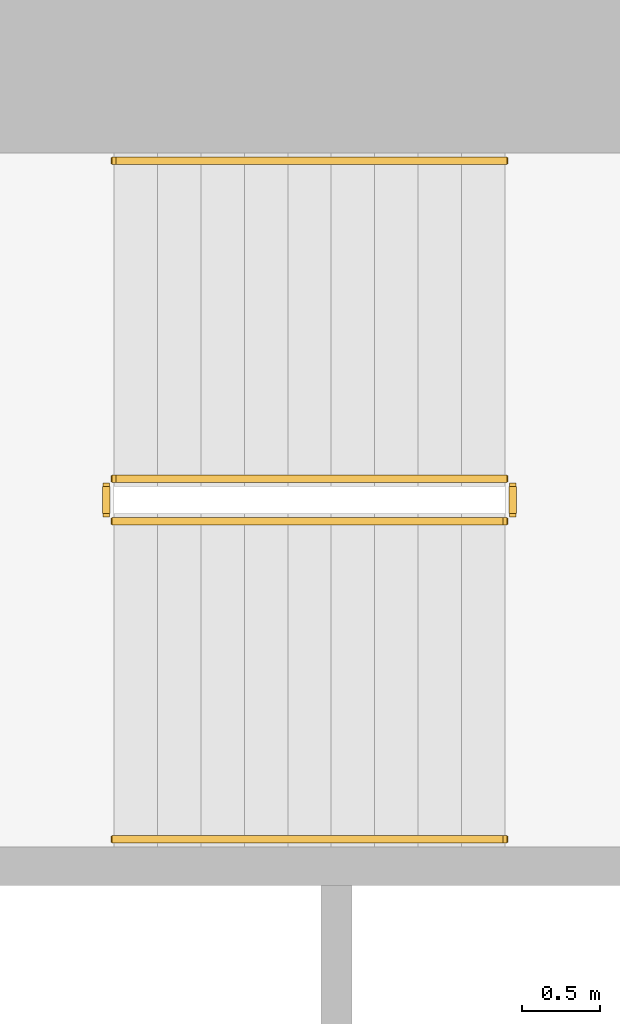
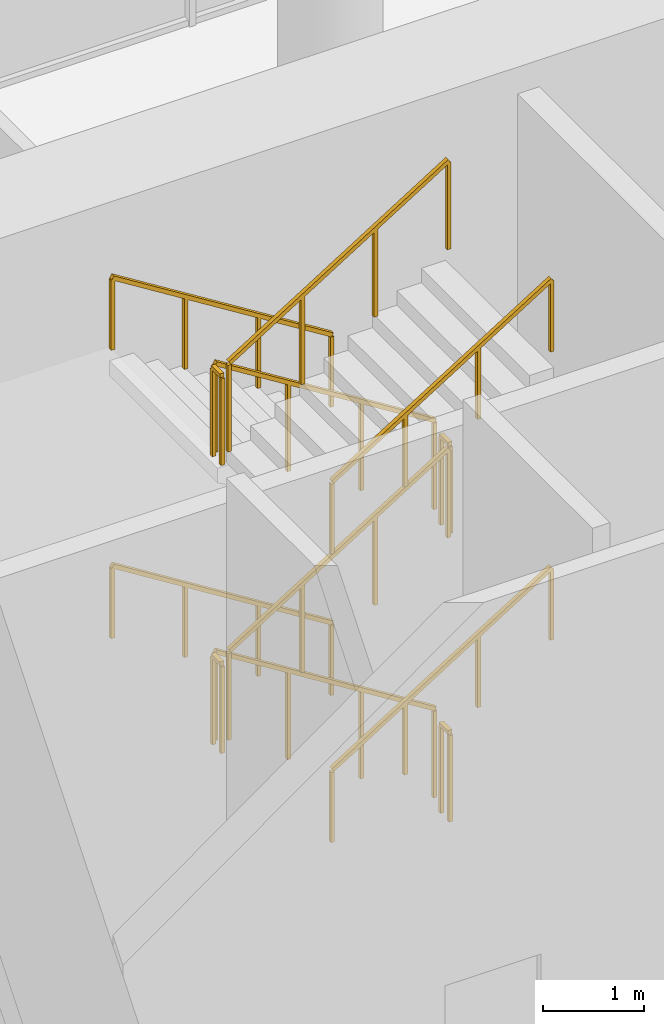
# One storey, part 20 of 22: 12 railings.
"""IFC4 building model written with IfcOpenShell, lengths in metres."""

from ifc_helpers import new_model, si_unit, direction, frame, origin, origin_2d, place, context, subcontext, project, spatial, rectangle, extrude, material, type_object, element, save


model = new_model("IFC4")

# Units and contexts
model_context = context("Model", 3, precision=1e-05, world=origin(), true_north=direction((0.0, 1.0)))
body_context = subcontext(model_context, "Body", "Model", "MODEL_VIEW")
ifc_project = project(units=[si_unit("LENGTHUNIT", "METRE"), si_unit("AREAUNIT", "SQUARE_METRE"), si_unit("VOLUMEUNIT", "CUBIC_METRE"), si_unit("PLANEANGLEUNIT", "RADIAN"), si_unit("MASSUNIT", "GRAM", prefix="KILO")], contexts=[model_context])

# Site, building, storey
site_placement = place(None, origin())
site = spatial("IfcSite", under=ifc_project, at=site_placement, CompositionType="ELEMENT")
building_placement = place(site_placement, origin())
building = spatial("IfcBuilding", under=site, at=building_placement, Name="Cypress Arch Tower", CompositionType="ELEMENT")
storey_placement = place(building_placement, frame((0.0, 0.0, 145.5)))
storey = spatial("IfcBuildingStorey", under=building, at=storey_placement, Name="L32", CompositionType="ELEMENT", Elevation=145.5)

# Railings
ifc_material_1 = material(Name="Black powder-coated steel square bar 48 mm", Category="steel")
railing_type_1 = type_object("IfcRailingType", Name="Stair handrail HR1", PredefinedType="HANDRAIL", material=ifc_material_1)
railing_1_placement = place(storey_placement, frame((-22.27490234375, 14.75, 0.175048828125)))
element("IfcRailing", 1, at=railing_1_placement, inside=storey, type_object=railing_type_1, Name="L32 B stair handrail 1", PredefinedType="HANDRAIL", context=body_context, shape_type="SweptSolid", body=[
    extrude(rectangle(XDim=0.048095703125, YDim=0.048095703125, at=origin_2d()), frame((0.0, 0.0, 0.8759765625), z_axis=(-0.848007534815, 0.0, 0.529984170421), x_axis=(0.0, -1.0, 0.0)), (0.0, 0.0, 1.0), 2.9716796875),
    extrude(rectangle(XDim=0.0419921875, YDim=0.0419921875, at=origin_2d()), origin(), (0.0, 0.0, 1.0), 0.851806640625),
    extrude(rectangle(XDim=0.0419921875, YDim=0.0419921875, at=origin_2d()), frame((-0.840087890625, 0.0, 0.52490234375)), (0.0, 0.0, 1.0), 0.851806640625),
    extrude(rectangle(XDim=0.0419921875, YDim=0.0419921875, at=origin_2d()), frame((-1.679931640625, 0.0, 1.050048828125)), (0.0, 0.0, 1.0), 0.851806640625),
    extrude(rectangle(XDim=0.0419921875, YDim=0.0419921875, at=origin_2d()), frame((-2.52001953125, 0.0, 1.574951171875)), (0.0, 0.0, 1.0), 0.851806640625),
])
railing_2_placement = place(storey_placement, frame((-24.794921875, 10.375, 1.925048828125)))
element("IfcRailing", 2, at=railing_2_placement, inside=storey, type_object=railing_type_1, Name="L32 B stair handrail 2", PredefinedType="HANDRAIL", context=body_context, shape_type="SweptSolid", body=[
    extrude(rectangle(XDim=0.048095703125, YDim=0.048095703125, at=origin_2d()), frame((0.0, 0.0, 0.8759765625), z_axis=(0.848007534815, 0.0, 0.529984170421), x_axis=(0.0, 1.0, 0.0)), (0.0, 0.0, 1.0), 2.9716796875),
    extrude(rectangle(XDim=0.0419921875, YDim=0.0419921875, at=origin_2d()), origin(), (0.0, 0.0, 1.0), 0.851806640625),
    extrude(rectangle(XDim=0.0419921875, YDim=0.0419921875, at=origin_2d()), frame((0.840087890625, 0.0, 0.52490234375)), (0.0, 0.0, 1.0), 0.851806640625),
    extrude(rectangle(XDim=0.0419921875, YDim=0.0419921875, at=origin_2d()), frame((1.679931640625, 0.0, 1.050048828125)), (0.0, 0.0, 1.0), 0.851806640625),
    extrude(rectangle(XDim=0.0419921875, YDim=0.0419921875, at=origin_2d()), frame((2.52001953125, 0.0, 1.574951171875)), (0.0, 0.0, 1.0), 0.851806640625),
])
railing_3_placement = place(storey_placement, frame((-22.27490234375, 14.75, 3.675048828125)))
element("IfcRailing", 3, at=railing_3_placement, inside=storey, type_object=railing_type_1, Name="L32 B stair handrail 3", PredefinedType="HANDRAIL", context=body_context, shape_type="SweptSolid", body=[
    extrude(rectangle(XDim=0.048095703125, YDim=0.048095703125, at=origin_2d()), frame((0.0, 0.0, 0.8759765625), z_axis=(-0.848007534815, 0.0, 0.529984170421), x_axis=(0.0, -1.0, 0.0)), (0.0, 0.0, 1.0), 2.9716796875),
    extrude(rectangle(XDim=0.0419921875, YDim=0.0419921875, at=origin_2d()), origin(), (0.0, 0.0, 1.0), 0.851806640625),
    extrude(rectangle(XDim=0.0419921875, YDim=0.0419921875, at=origin_2d()), frame((-0.840087890625, 0.0, 0.52490234375)), (0.0, 0.0, 1.0), 0.851806640625),
    extrude(rectangle(XDim=0.0419921875, YDim=0.0419921875, at=origin_2d()), frame((-1.679931640625, 0.0, 1.050048828125)), (0.0, 0.0, 1.0), 0.851806640625),
    extrude(rectangle(XDim=0.0419921875, YDim=0.0419921875, at=origin_2d()), frame((-2.52001953125, 0.0, 1.574951171875)), (0.0, 0.0, 1.0), 0.851806640625),
])
railing_4_placement = place(storey_placement, frame((-24.794921875, 10.375, 5.425048828125)))
element("IfcRailing", 4, at=railing_4_placement, inside=storey, type_object=railing_type_1, Name="L32 B stair handrail 4", PredefinedType="HANDRAIL", context=body_context, shape_type="SweptSolid", body=[
    extrude(rectangle(XDim=0.048095703125, YDim=0.048095703125, at=origin_2d()), frame((0.0, 0.0, 0.8759765625), z_axis=(0.848007534815, 0.0, 0.529984170421), x_axis=(0.0, 1.0, 0.0)), (0.0, 0.0, 1.0), 2.9716796875),
    extrude(rectangle(XDim=0.0419921875, YDim=0.0419921875, at=origin_2d()), origin(), (0.0, 0.0, 1.0), 0.851806640625),
    extrude(rectangle(XDim=0.0419921875, YDim=0.0419921875, at=origin_2d()), frame((0.840087890625, 0.0, 0.52490234375)), (0.0, 0.0, 1.0), 0.851806640625),
    extrude(rectangle(XDim=0.0419921875, YDim=0.0419921875, at=origin_2d()), frame((1.679931640625, 0.0, 1.050048828125)), (0.0, 0.0, 1.0), 0.851806640625),
    extrude(rectangle(XDim=0.0419921875, YDim=0.0419921875, at=origin_2d()), frame((2.52001953125, 0.0, 1.574951171875)), (0.0, 0.0, 1.0), 0.851806640625),
])
ifc_material_2 = material(Name="Black powder-coated steel balusters", Category="steel")
railing_type_2 = type_object("IfcRailingType", Name="Stair well guard G1", PredefinedType="GUARDRAIL", material=ifc_material_2)
railing_5_placement = place(storey_placement, frame((-22.27490234375, 12.699951171875, 0.175048828125)))
element("IfcRailing", 5, at=railing_5_placement, inside=storey, type_object=railing_type_2, Name="L32 B stair guard 1", PredefinedType="GUARDRAIL", context=body_context, shape_type="SweptSolid", body=[
    extrude(rectangle(XDim=0.048095703125, YDim=0.048095703125, at=origin_2d()), frame((0.0, 0.0, 1.076171875), z_axis=(-0.848007534815, 0.0, 0.529984170421), x_axis=(0.0, -1.0, 0.0)), (0.0, 0.0, 1.0), 2.9716796875),
    extrude(rectangle(XDim=0.0419921875, YDim=0.0419921875, at=origin_2d()), origin(), (0.0, 0.0, 1.0), 1.052001953125),
    extrude(rectangle(XDim=0.0419921875, YDim=0.0419921875, at=origin_2d()), frame((-0.840087890625, 0.0, 0.52490234375)), (0.0, 0.0, 1.0), 1.052001953125),
    extrude(rectangle(XDim=0.0419921875, YDim=0.0419921875, at=origin_2d()), frame((-1.679931640625, 0.0, 1.050048828125)), (0.0, 0.0, 1.0), 1.052001953125),
    extrude(rectangle(XDim=0.0419921875, YDim=0.0419921875, at=origin_2d()), frame((-2.52001953125, 0.0, 1.574951171875)), (0.0, 0.0, 1.0), 1.052001953125),
])
railing_6_placement = place(storey_placement, frame((-24.844970703125, 12.64990234375, 1.75)))
element("IfcRailing", 6, at=railing_6_placement, inside=storey, type_object=railing_type_2, Name="L32 B stair guard 2", PredefinedType="GUARDRAIL", context=body_context, shape_type="SweptSolid", body=[
    extrude(rectangle(XDim=0.048095703125, YDim=0.048095703125, at=origin_2d()), frame((0.0, 0.0, 1.076171875), z_axis=(0.0, -1.0, 0.0), x_axis=(1.0, 0.0, 0.0)), (0.0, 0.0, 1.0), 0.1748046875),
    extrude(rectangle(XDim=0.0419921875, YDim=0.0419921875, at=origin_2d()), origin(), (0.0, 0.0, 1.0), 1.052001953125),
    extrude(rectangle(XDim=0.0419921875, YDim=0.0419921875, at=origin_2d()), frame((0.0, -0.1748046875, 0.0)), (0.0, 0.0, 1.0), 1.052001953125),
])
railing_7_placement = place(storey_placement, frame((-24.794921875, 12.425048828125, 1.925048828125)))
element("IfcRailing", 7, at=railing_7_placement, inside=storey, type_object=railing_type_2, Name="L32 B stair guard 3", PredefinedType="GUARDRAIL", context=body_context, shape_type="SweptSolid", body=[
    extrude(rectangle(XDim=0.048095703125, YDim=0.048095703125, at=origin_2d()), frame((0.0, 0.0, 1.076171875), z_axis=(0.848007534815, 0.0, 0.529984170421), x_axis=(0.0, 1.0, 0.0)), (0.0, 0.0, 1.0), 2.9716796875),
    extrude(rectangle(XDim=0.0419921875, YDim=0.0419921875, at=origin_2d()), origin(), (0.0, 0.0, 1.0), 1.052001953125),
    extrude(rectangle(XDim=0.0419921875, YDim=0.0419921875, at=origin_2d()), frame((0.840087890625, 0.0, 0.52490234375)), (0.0, 0.0, 1.0), 1.052001953125),
    extrude(rectangle(XDim=0.0419921875, YDim=0.0419921875, at=origin_2d()), frame((1.679931640625, 0.0, 1.050048828125)), (0.0, 0.0, 1.0), 1.052001953125),
    extrude(rectangle(XDim=0.0419921875, YDim=0.0419921875, at=origin_2d()), frame((2.52001953125, 0.0, 1.574951171875)), (0.0, 0.0, 1.0), 1.052001953125),
])
railing_8_placement = place(storey_placement, frame((-22.22509765625, 12.64990234375, 3.5)))
element("IfcRailing", 8, at=railing_8_placement, inside=storey, type_object=railing_type_2, Name="L32 B stair guard 4", PredefinedType="GUARDRAIL", context=body_context, shape_type="SweptSolid", body=[
    extrude(rectangle(XDim=0.048095703125, YDim=0.048095703125, at=origin_2d()), frame((0.0, 0.0, 1.076171875), z_axis=(0.0, -1.0, 0.0), x_axis=(1.0, 0.0, 0.0)), (0.0, 0.0, 1.0), 0.1748046875),
    extrude(rectangle(XDim=0.0419921875, YDim=0.0419921875, at=origin_2d()), origin(), (0.0, 0.0, 1.0), 1.052001953125),
    extrude(rectangle(XDim=0.0419921875, YDim=0.0419921875, at=origin_2d()), frame((0.0, -0.1748046875, 0.0)), (0.0, 0.0, 1.0), 1.052001953125),
])
railing_9_placement = place(storey_placement, frame((-22.27490234375, 12.699951171875, 3.675048828125)))
element("IfcRailing", 9, at=railing_9_placement, inside=storey, type_object=railing_type_2, Name="L32 B stair guard 5", PredefinedType="GUARDRAIL", context=body_context, shape_type="SweptSolid", body=[
    extrude(rectangle(XDim=0.048095703125, YDim=0.048095703125, at=origin_2d()), frame((0.0, 0.0, 1.076171875), z_axis=(-0.848007534815, 0.0, 0.529984170421), x_axis=(0.0, -1.0, 0.0)), (0.0, 0.0, 1.0), 2.9716796875),
    extrude(rectangle(XDim=0.0419921875, YDim=0.0419921875, at=origin_2d()), origin(), (0.0, 0.0, 1.0), 1.052001953125),
    extrude(rectangle(XDim=0.0419921875, YDim=0.0419921875, at=origin_2d()), frame((-0.840087890625, 0.0, 0.52490234375)), (0.0, 0.0, 1.0), 1.052001953125),
    extrude(rectangle(XDim=0.0419921875, YDim=0.0419921875, at=origin_2d()), frame((-1.679931640625, 0.0, 1.050048828125)), (0.0, 0.0, 1.0), 1.052001953125),
    extrude(rectangle(XDim=0.0419921875, YDim=0.0419921875, at=origin_2d()), frame((-2.52001953125, 0.0, 1.574951171875)), (0.0, 0.0, 1.0), 1.052001953125),
])
railing_10_placement = place(storey_placement, frame((-24.844970703125, 12.64990234375, 5.25)))
element("IfcRailing", 10, at=railing_10_placement, inside=storey, type_object=railing_type_2, Name="L32 B stair guard 6", PredefinedType="GUARDRAIL", context=body_context, shape_type="SweptSolid", body=[
    extrude(rectangle(XDim=0.048095703125, YDim=0.048095703125, at=origin_2d()), frame((0.0, 0.0, 1.076171875), z_axis=(0.0, -1.0, 0.0), x_axis=(1.0, 0.0, 0.0)), (0.0, 0.0, 1.0), 0.1748046875),
    extrude(rectangle(XDim=0.0419921875, YDim=0.0419921875, at=origin_2d()), origin(), (0.0, 0.0, 1.0), 1.052001953125),
    extrude(rectangle(XDim=0.0419921875, YDim=0.0419921875, at=origin_2d()), frame((0.0, -0.1748046875, 0.0)), (0.0, 0.0, 1.0), 1.052001953125),
])
railing_11_placement = place(storey_placement, frame((-24.794921875, 12.425048828125, 5.425048828125)))
element("IfcRailing", 11, at=railing_11_placement, inside=storey, type_object=railing_type_2, Name="L32 B stair guard 7", PredefinedType="GUARDRAIL", context=body_context, shape_type="SweptSolid", body=[
    extrude(rectangle(XDim=0.048095703125, YDim=0.048095703125, at=origin_2d()), frame((0.0, 0.0, 1.076171875), z_axis=(0.848007534815, 0.0, 0.529984170421), x_axis=(0.0, 1.0, 0.0)), (0.0, 0.0, 1.0), 2.9716796875),
    extrude(rectangle(XDim=0.0419921875, YDim=0.0419921875, at=origin_2d()), origin(), (0.0, 0.0, 1.0), 1.052001953125),
    extrude(rectangle(XDim=0.0419921875, YDim=0.0419921875, at=origin_2d()), frame((0.840087890625, 0.0, 0.52490234375)), (0.0, 0.0, 1.0), 1.052001953125),
    extrude(rectangle(XDim=0.0419921875, YDim=0.0419921875, at=origin_2d()), frame((1.679931640625, 0.0, 1.050048828125)), (0.0, 0.0, 1.0), 1.052001953125),
    extrude(rectangle(XDim=0.0419921875, YDim=0.0419921875, at=origin_2d()), frame((2.52001953125, 0.0, 1.574951171875)), (0.0, 0.0, 1.0), 1.052001953125),
])
railing_12_placement = place(storey_placement, frame((-22.22509765625, 12.64990234375, 0.0)))
element("IfcRailing", 12, at=railing_12_placement, inside=storey, type_object=railing_type_2, Name="L32 B stair guard 8", PredefinedType="GUARDRAIL", context=body_context, shape_type="SweptSolid", body=[
    extrude(rectangle(XDim=0.048095703125, YDim=0.048095703125, at=origin_2d()), frame((0.0, 0.0, 1.076171875), z_axis=(0.0, -1.0, 0.0), x_axis=(1.0, 0.0, 0.0)), (0.0, 0.0, 1.0), 0.1748046875),
    extrude(rectangle(XDim=0.0419921875, YDim=0.0419921875, at=origin_2d()), origin(), (0.0, 0.0, 1.0), 1.052001953125),
    extrude(rectangle(XDim=0.0419921875, YDim=0.0419921875, at=origin_2d()), frame((0.0, -0.1748046875, 0.0)), (0.0, 0.0, 1.0), 1.052001953125),
])

save(model, "model.ifc")
